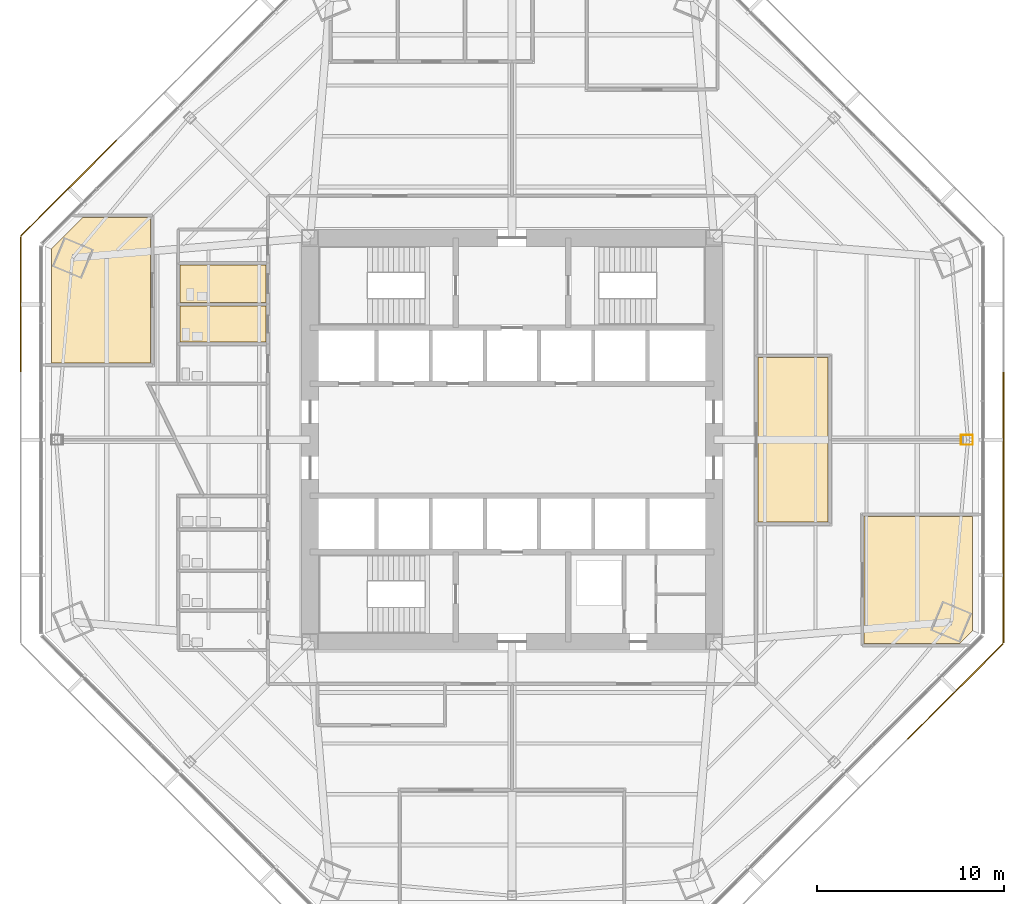
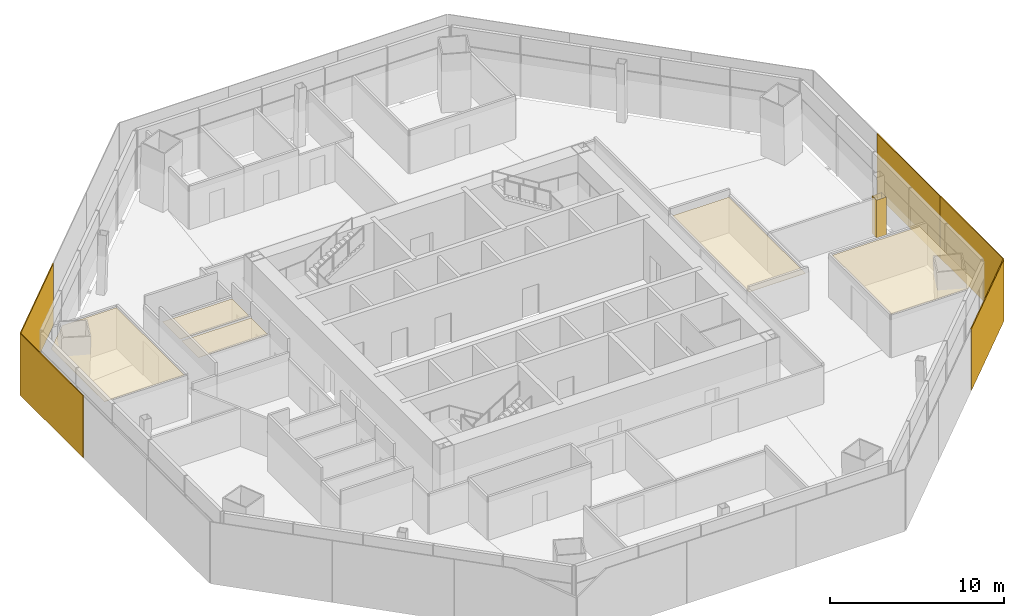
# One storey, part 14 of 16: 6 coverings, 5 shading devices.
"""IFC4 building model written with IfcOpenShell, lengths in metres."""

from ifc_helpers import new_model, si_unit, direction, frame, origin, origin_2d, place, context, subcontext, project, spatial, polyline, rectangle, outline, extrude, source, transform, mapped, material, layer, layer_set, type_object, type_shapes, element, save


model = new_model("IFC4")

# Units and contexts
model_context = context("Model", 3, precision=1e-05, world=origin(), true_north=direction((0.0, 1.0)))
body_context = subcontext(model_context, "Body", "Model", "MODEL_VIEW")
ifc_project = project(units=[si_unit("LENGTHUNIT", "METRE"), si_unit("AREAUNIT", "SQUARE_METRE"), si_unit("VOLUMEUNIT", "CUBIC_METRE"), si_unit("PLANEANGLEUNIT", "RADIAN"), si_unit("MASSUNIT", "GRAM", prefix="KILO")], contexts=[model_context])

# Site, building, storey
site_placement = place(None, origin())
site = spatial("IfcSite", under=ifc_project, at=site_placement, CompositionType="ELEMENT")
building_placement = place(site_placement, origin())
building = spatial("IfcBuilding", under=site, at=building_placement, Name="Mashrafa Tower", CompositionType="ELEMENT")
storey_placement = place(building_placement, frame((0.0, 0.0, 100.199951171875)))
storey = spatial("IfcBuildingStorey", under=building, at=storey_placement, Name="L22", CompositionType="ELEMENT", Elevation=100.199951171875)

# Coverings
ifc_material_1 = material(Name="Gypsum board")
ifc_layer_1 = layer(ifc_material_1, 0.014892578125)
ifc_layer_set_1 = layer_set([ifc_layer_1], Name="Column casing plasterboard 15")
covering_type_1 = type_object("IfcCoveringType", Name="Column casing plasterboard 15", PredefinedType="CLADDING", material=ifc_layer_set_1)
covering_1_placement = place(storey_placement, origin())
element("IfcCovering", 1, at=covering_1_placement, inside=storey, type_object=covering_type_1, Name="Column casing L22-001", PredefinedType="CLADDING", context=body_context, shape_type="SweptSolid", body=[
    extrude(outline(polyline([(23.996337890625, 0.264892578125), (24.645263671875, 0.264892578125), (24.645263671875, -0.264892578125), (23.996337890625, -0.264892578125), (23.996337890625, 0.264892578125)]), holes=[polyline([(24.63037109375, -0.25), (24.63037109375, 0.25), (24.01123046875, 0.25), (24.01123046875, -0.25), (24.63037109375, -0.25)])]), origin(), (0.0, 0.0, 1.0), 2.64013671875),
])
ifc_material_2 = material(Name="Mineral fibre tile on suspension grid")
ifc_layer_2 = layer(ifc_material_2, 0.014892578125)
ifc_layer_set_2 = layer_set([ifc_layer_2], Name="Suspended ceiling mineral tile 15")
covering_type_2 = type_object("IfcCoveringType", Name="Suspended ceiling mineral tile 15", PredefinedType="CEILING", material=ifc_layer_set_2)
covering_2_placement = place(storey_placement, frame((0.0, 0.0, 2.900146484375)))
element("IfcCovering", 2, at=covering_2_placement, inside=storey, type_object=covering_type_2, Name="Ceiling WC Male L22 N", PredefinedType="CEILING", context=body_context, shape_type="SweptSolid", body=[
    extrude(outline(polyline([(-17.75, 5.22509765625), (-17.75, 7.14990234375), (-13.14990234375, 7.14990234375), (-13.14990234375, 5.22509765625), (-17.75, 5.22509765625)])), origin(), (0.0, 0.0, 1.0), 0.014892578125),
])
covering_3_placement = place(storey_placement, frame((0.0, 0.0, 2.900146484375)))
element("IfcCovering", 3, at=covering_3_placement, inside=storey, type_object=covering_type_2, Name="Ceiling Accessible WC L22 N", PredefinedType="CEILING", context=body_context, shape_type="SweptSolid", body=[
    extrude(outline(polyline([(-17.75, 7.35009765625), (-17.75, 9.35009765625), (-13.14990234375, 9.35009765625), (-13.14990234375, 7.35009765625), (-17.75, 7.35009765625)])), origin(), (0.0, 0.0, 1.0), 0.014892578125),
])
covering_4_placement = place(storey_placement, frame((0.0, 0.0, 2.5)))
element("IfcCovering", 4, at=covering_4_placement, inside=storey, type_object=covering_type_2, Name="Ceiling Executive Reception 22", PredefinedType="CEILING", context=body_context, shape_type="SweptSolid", body=[
    extrude(outline(polyline([(13.14990234375, 4.39990234375), (16.89990234375, 4.39990234375), (16.89990234375, -4.39990234375), (13.14990234375, -4.39990234375), (13.14990234375, 4.39990234375)])), origin(), (0.0, 0.0, 1.0), 0.01513671875),
])
covering_5_placement = place(storey_placement, frame((0.0, 0.0, 2.900146484375)))
element("IfcCovering", 5, at=covering_5_placement, inside=storey, type_object=covering_type_2, Name="Ceiling Guest Majlis 22", PredefinedType="CEILING", context=body_context, shape_type="SweptSolid", body=[
    extrude(outline(polyline([(18.830078125, -4.10009765625), (24.630126953125, -4.10009765625), (24.630126953125, -10.2021484375), (23.932373046875, -10.89990234375), (18.830078125, -10.89990234375), (18.830078125, -4.10009765625)])), origin(), (0.0, 0.0, 1.0), 0.014892578125),
])
covering_6_placement = place(storey_placement, frame((0.0, 0.0, 2.900146484375)))
element("IfcCovering", 6, at=covering_6_placement, inside=storey, type_object=covering_type_2, Name="Ceiling Executive Dining Room 22", PredefinedType="CEILING", context=body_context, shape_type="SweptSolid", body=[
    extrude(outline(polyline([(-19.330078125, 11.89990234375), (-19.330078125, 4.10009765625), (-24.630126953125, 4.10009765625), (-24.630126953125, 10.2021484375), (-22.932373046875, 11.89990234375), (-19.330078125, 11.89990234375)])), origin(), (0.0, 0.0, 1.0), 0.014892578125),
])

# Shading devices
ifc_material_3 = material(Name="Perforated aluminium plate, eight-point star pattern", Category="aluminium")
ifc_layer_3 = layer(ifc_material_3, 0.06005859375)
ifc_layer_set_3 = layer_set([ifc_layer_3], Name="Mashrabiya screen panel office zone 1, 45 percent open")
shading_device_type = type_object("IfcShadingDeviceType", Name="Mashrabiya screen panel office zone 1, 45 percent open", PredefinedType="SHUTTER", material=ifc_layer_set_3)
shared_shape = source(origin(), body_context, "Body", "SweptSolid", [
    extrude(rectangle(XDim=7.22216796875, YDim=0.06005859375, at=origin_2d()), origin(), (0.0, 0.0, 1.0), 4.330078125),
])
type_shapes(shading_device_type, [shared_shape])
for number, where, z_axis, x_axis, name in (
    (7, (26.2802734375, -7.2421875, -0.14990234375), (0.0, 0.0, 1.0), (0.0, 1.0, 0.0), "Mashrabiya screen L22 east 1"),
    (8, (26.2802734375, 0.0, -0.14990234375), (0.0, 0.0, 1.0), (0.0, 1.0, 0.0), "Mashrabiya screen L22 east 2"),
    (9, (-23.703857421875, 13.4619140625, -0.14990234375), (0.0, 0.0, 1.0), (-0.707106781187, -0.707106781187, 0.0), "Mashrabiya screen L22 north-west 3"),
    (10, (-26.2802734375, 7.2421875, -0.14990234375), (0.0, 0.0, 1.0), (0.0, -1.0, 0.0), "Mashrabiya screen L22 west 1"),
    (11, (23.703857421875, -13.4619140625, -0.14990234375), (0.0, 0.0, 1.0), (0.707106781187, 0.707106781187, 0.0), "Mashrabiya screen L22 south-east 3"),
):
    element("IfcShadingDevice", number, at=place(storey_placement, frame(where, z_axis=z_axis, x_axis=x_axis)), inside=storey, type_object=shading_device_type, Name=name, PredefinedType="SHUTTER", context=body_context, shape_type="MappedRepresentation", body=[
        mapped(shared_shape, transform((0.0, 0.0, 0.0))),
    ])

save(model, "model.ifc")
